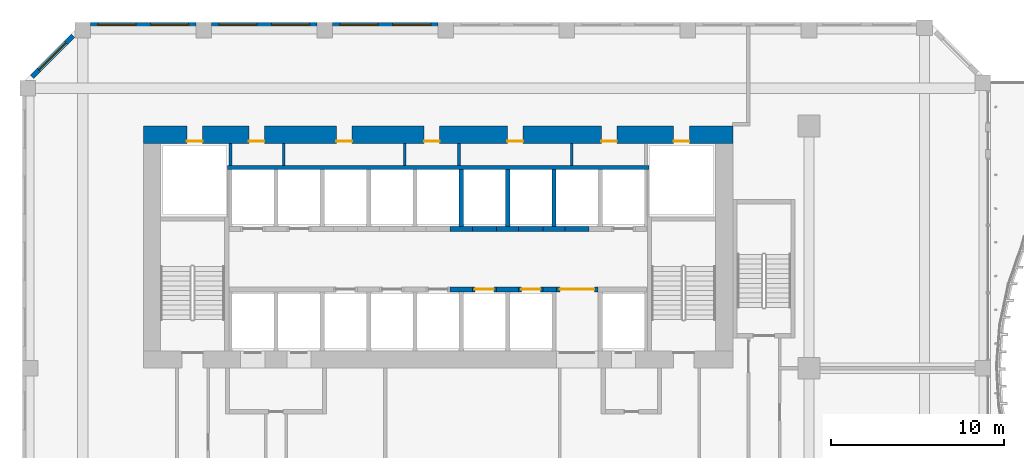
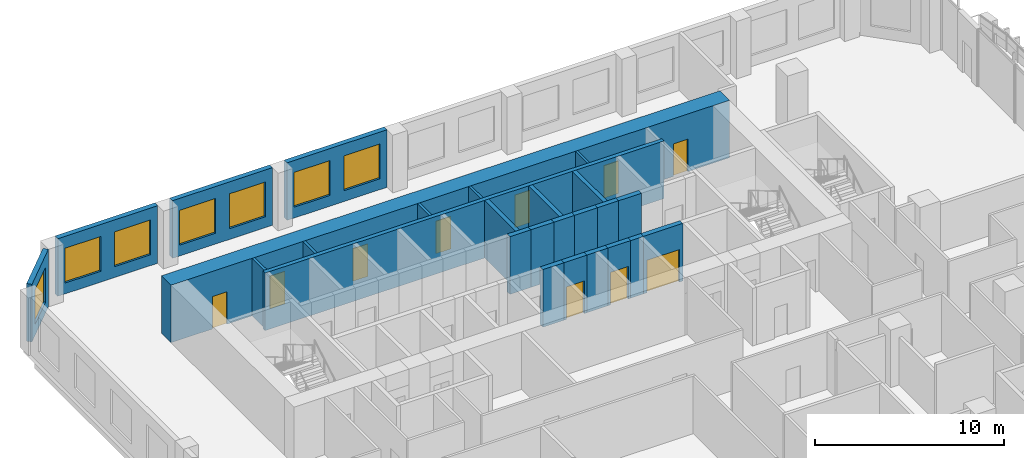
# One storey, part 16 of 28: 26 walls, 10 doors, 7 windows, 17 openings.
"""IFC4 building model written with IfcOpenShell, lengths in metres."""

from ifc_helpers import new_model, si_unit, direction, frame, frame_2d, origin, place, context, subcontext, project, spatial, rectangle, extrude, source, transform, mapped, material, layer, layer_set, type_object, element, fill, save


model = new_model("IFC4")

# Units and contexts
model_context = context("Model", 3, precision=1e-05, world=origin(), true_north=direction((0.0, 1.0)))
body_context = subcontext(model_context, "Body", "Model", "MODEL_VIEW")
ifc_project = project(units=[si_unit("LENGTHUNIT", "METRE"), si_unit("AREAUNIT", "SQUARE_METRE"), si_unit("VOLUMEUNIT", "CUBIC_METRE"), si_unit("PLANEANGLEUNIT", "RADIAN"), si_unit("MASSUNIT", "GRAM", prefix="KILO")], contexts=[model_context])

# Site, building, storey
site_placement = place(None, origin())
site = spatial("IfcSite", under=ifc_project, at=site_placement, CompositionType="ELEMENT")
building_placement = place(site_placement, origin())
building = spatial("IfcBuilding", under=site, at=building_placement, Name="Kilnfold Tower and Market Hall", CompositionType="ELEMENT")
storey_placement = place(building_placement, frame((0.0, 0.0, 87.199951171875)))
storey = spatial("IfcBuildingStorey", under=building, at=storey_placement, Name="L20", CompositionType="ELEMENT", Elevation=87.199951171875)

# Wall, openings, doors
ifc_material_1 = material(Name="Concrete C80", Category="concrete")
ifc_layer_1 = layer(ifc_material_1, 1.0)
ifc_layer_set_1 = layer_set([ifc_layer_1], Name="Concrete C80")
wall_type_1 = type_object("IfcWallType", Name="CORE WALL 1000 C80", PredefinedType="SHEAR", material=ifc_layer_set_1)
shared_shape_1 = source(origin(), body_context, "Body", "SweptSolid", [
    extrude(rectangle(XDim=34.10009765625, YDim=1.0, at=frame_2d((17.050048828125, 0.0))), origin(), (0.0, 0.0, 1.0), 3.719970703125),
])
wall_1_placement = place(storey_placement, frame((-16.0, 21.5, 0.0), z_axis=(0.0, 0.0, 1.0), x_axis=(1.0, 0.0, 0.0)))
wall_1 = element("IfcWall", 1, at=wall_1_placement, inside=storey, type_object=wall_type_1, Name="Core outer wall north", PredefinedType="SHEAR", context=body_context, shape_type="MappedRepresentation", body=[
    mapped(shared_shape_1, transform((0.0, 0.0, 0.0))),
])
opening_1_placement = place(wall_1_placement, frame((6.10791015625, 0.0, 0.0)))
opening_1 = element("IfcOpeningElement", 2, at=opening_1_placement, cuts=wall_1, Name="Opening KD1", PredefinedType="OPENING", context=body_context, shape_type="SweptSolid", body=[
    extrude(rectangle(XDim=0.89990234375, YDim=2.10009765625, at=frame_2d((0.449951171875, 1.050048828125))), frame((0.0, 0.510009765625, 0.0), z_axis=(0.0, -1.0, 0.0), x_axis=(1.0, 0.0, 0.0)), (0.0, 0.0, 1.0), 1.02001953125),
])
opening_2_placement = place(wall_1_placement, frame((11.173095703125, 0.0, 0.0)))
opening_2 = element("IfcOpeningElement", 3, at=opening_2_placement, cuts=wall_1, Name="Opening KD1", PredefinedType="OPENING", context=body_context, shape_type="SweptSolid", body=[
    extrude(rectangle(XDim=0.89990234375, YDim=2.10009765625, at=frame_2d((0.449951171875, 1.050048828125))), frame((0.0, 0.510009765625, 0.0), z_axis=(0.0, -1.0, 0.0), x_axis=(1.0, 0.0, 0.0)), (0.0, 0.0, 1.0), 1.02001953125),
])
opening_3_placement = place(wall_1_placement, frame((16.23828125, 0.0, 0.0)))
opening_3 = element("IfcOpeningElement", 4, at=opening_3_placement, cuts=wall_1, Name="Opening KD1", PredefinedType="OPENING", context=body_context, shape_type="SweptSolid", body=[
    extrude(rectangle(XDim=0.89990234375, YDim=2.10009765625, at=frame_2d((0.449951171875, 1.050048828125))), frame((0.0, 0.510009765625, 0.0), z_axis=(0.0, -1.0, 0.0), x_axis=(1.0, 0.0, 0.0)), (0.0, 0.0, 1.0), 1.02001953125),
])
opening_4_placement = place(wall_1_placement, frame((21.062255859375, 0.0, 0.0)))
opening_4 = element("IfcOpeningElement", 5, at=opening_4_placement, cuts=wall_1, Name="Opening KD1", PredefinedType="OPENING", context=body_context, shape_type="SweptSolid", body=[
    extrude(rectangle(XDim=0.89990234375, YDim=2.10009765625, at=frame_2d((0.449951171875, 1.050048828125))), frame((0.0, 0.510009765625, 0.0), z_axis=(0.0, -1.0, 0.0), x_axis=(1.0, 0.0, 0.0)), (0.0, 0.0, 1.0), 1.02001953125),
])
opening_5_placement = place(wall_1_placement, frame((26.4892578125, 0.0, 0.0)))
opening_5 = element("IfcOpeningElement", 6, at=opening_5_placement, cuts=wall_1, Name="Opening KD1", PredefinedType="OPENING", context=body_context, shape_type="SweptSolid", body=[
    extrude(rectangle(XDim=0.89990234375, YDim=2.10009765625, at=frame_2d((0.449951171875, 1.050048828125))), frame((0.0, 0.510009765625, 0.0), z_axis=(0.0, -1.0, 0.0), x_axis=(1.0, 0.0, 0.0)), (0.0, 0.0, 1.0), 1.02001953125),
])
opening_6_placement = place(wall_1_placement, frame((2.52490234375, 0.0, 0.0)))
opening_6 = element("IfcOpeningElement", 7, at=opening_6_placement, cuts=wall_1, Name="Opening KD1", PredefinedType="OPENING", context=body_context, shape_type="SweptSolid", body=[
    extrude(rectangle(XDim=0.89990234375, YDim=2.10009765625, at=frame_2d((0.449951171875, 1.050048828125))), frame((0.0, 0.510009765625, 0.0), z_axis=(0.0, -1.0, 0.0), x_axis=(1.0, 0.0, 0.0)), (0.0, 0.0, 1.0), 1.02001953125),
])
opening_7_placement = place(wall_1_placement, frame((30.675048828125, 0.0, 0.0)))
opening_7 = element("IfcOpeningElement", 8, at=opening_7_placement, cuts=wall_1, Name="Opening KD1", PredefinedType="OPENING", context=body_context, shape_type="SweptSolid", body=[
    extrude(rectangle(XDim=0.89990234375, YDim=2.10009765625, at=frame_2d((0.449951171875, 1.050048828125))), frame((0.0, 0.510009765625, 0.0), z_axis=(0.0, -1.0, 0.0), x_axis=(1.0, 0.0, 0.0)), (0.0, 0.0, 1.0), 1.02001953125),
])
ifc_material_2 = material(Name="Steel door set with fire-resisting leaf", Category="steel")
door_type_1 = type_object("IfcDoorType", Name="SERVICE DOOR 900X2100", OperationType="NOTDEFINED", PredefinedType="DOOR", material=ifc_material_2)
door_1_placement = place(opening_1_placement, origin())
door_1 = element("IfcDoor", 9, at=door_1_placement, inside=storey, type_object=door_type_1, Name="Core service door", OperationType="SINGLE_SWING_RIGHT", OverallHeight=2.10009765625, OverallWidth=0.89990234375, PredefinedType="DOOR", context=body_context, shape_type="SweptSolid", body=[
    extrude(rectangle(XDim=0.89990234375, YDim=2.10009765625, at=frame_2d((0.449951171875, 1.050048828125))), frame((0.0, -0.35498046875, 0.0), z_axis=(0.0, -1.0, 0.0), x_axis=(1.0, 0.0, 0.0)), (0.0, 0.0, 1.0), 0.050048828125),
])
fill(opening_1, door_1)
door_2_placement = place(opening_2_placement, origin())
door_2 = element("IfcDoor", 10, at=door_2_placement, inside=storey, type_object=door_type_1, Name="Core service door", OperationType="SINGLE_SWING_LEFT", OverallHeight=2.10009765625, OverallWidth=0.89990234375, PredefinedType="DOOR", context=body_context, shape_type="SweptSolid", body=[
    extrude(rectangle(XDim=0.89990234375, YDim=2.10009765625, at=frame_2d((0.449951171875, 1.050048828125))), frame((0.0, -0.35498046875, 0.0), z_axis=(0.0, -1.0, 0.0), x_axis=(1.0, 0.0, 0.0)), (0.0, 0.0, 1.0), 0.050048828125),
])
fill(opening_2, door_2)
door_3_placement = place(opening_3_placement, origin())
door_3 = element("IfcDoor", 11, at=door_3_placement, inside=storey, type_object=door_type_1, Name="Core service door", OperationType="SINGLE_SWING_RIGHT", OverallHeight=2.10009765625, OverallWidth=0.89990234375, PredefinedType="DOOR", context=body_context, shape_type="SweptSolid", body=[
    extrude(rectangle(XDim=0.89990234375, YDim=2.10009765625, at=frame_2d((0.449951171875, 1.050048828125))), frame((0.0, -0.35498046875, 0.0), z_axis=(0.0, -1.0, 0.0), x_axis=(1.0, 0.0, 0.0)), (0.0, 0.0, 1.0), 0.050048828125),
])
fill(opening_3, door_3)
door_4_placement = place(opening_4_placement, origin())
door_4 = element("IfcDoor", 12, at=door_4_placement, inside=storey, type_object=door_type_1, Name="Core service door", OperationType="SINGLE_SWING_LEFT", OverallHeight=2.10009765625, OverallWidth=0.89990234375, PredefinedType="DOOR", context=body_context, shape_type="SweptSolid", body=[
    extrude(rectangle(XDim=0.89990234375, YDim=2.10009765625, at=frame_2d((0.449951171875, 1.050048828125))), frame((0.0, -0.35498046875, 0.0), z_axis=(0.0, -1.0, 0.0), x_axis=(1.0, 0.0, 0.0)), (0.0, 0.0, 1.0), 0.050048828125),
])
fill(opening_4, door_4)
door_5_placement = place(opening_5_placement, origin())
door_5 = element("IfcDoor", 13, at=door_5_placement, inside=storey, type_object=door_type_1, Name="Core service door", OperationType="SINGLE_SWING_RIGHT", OverallHeight=2.10009765625, OverallWidth=0.89990234375, PredefinedType="DOOR", context=body_context, shape_type="SweptSolid", body=[
    extrude(rectangle(XDim=0.89990234375, YDim=2.10009765625, at=frame_2d((0.449951171875, 1.050048828125))), frame((0.0, -0.35498046875, 0.0), z_axis=(0.0, -1.0, 0.0), x_axis=(1.0, 0.0, 0.0)), (0.0, 0.0, 1.0), 0.050048828125),
])
fill(opening_5, door_5)
door_6_placement = place(opening_6_placement, origin())
door_6 = element("IfcDoor", 14, at=door_6_placement, inside=storey, type_object=door_type_1, Name="Electrical riser access door", OperationType="SINGLE_SWING_LEFT", OverallHeight=2.10009765625, OverallWidth=0.89990234375, PredefinedType="DOOR", context=body_context, shape_type="SweptSolid", body=[
    extrude(rectangle(XDim=0.89990234375, YDim=2.10009765625, at=frame_2d((0.449951171875, 1.050048828125))), frame((0.0, -0.35498046875, 0.0), z_axis=(0.0, -1.0, 0.0), x_axis=(1.0, 0.0, 0.0)), (0.0, 0.0, 1.0), 0.050048828125),
])
fill(opening_6, door_6)
door_7_placement = place(opening_7_placement, origin())
door_7 = element("IfcDoor", 15, at=door_7_placement, inside=storey, type_object=door_type_1, Name="Mechanical riser access door", OperationType="SINGLE_SWING_RIGHT", OverallHeight=2.10009765625, OverallWidth=0.89990234375, PredefinedType="DOOR", context=body_context, shape_type="SweptSolid", body=[
    extrude(rectangle(XDim=0.89990234375, YDim=2.10009765625, at=frame_2d((0.449951171875, 1.050048828125))), frame((0.0, -0.35498046875, 0.0), z_axis=(0.0, -1.0, 0.0), x_axis=(1.0, 0.0, 0.0)), (0.0, 0.0, 1.0), 0.050048828125),
])
fill(opening_7, door_7)

# Walls
ifc_material_3 = material(Name="Concrete C80", Category="concrete")
ifc_layer_2 = layer(ifc_material_3, 0.300048828125)
ifc_layer_set_2 = layer_set([ifc_layer_2], Name="Concrete C80")
wall_type_2 = type_object("IfcWallType", Name="CORE WALL 300 C80", PredefinedType="SHEAR", material=ifc_layer_set_2)
shared_shape_2 = source(origin(), body_context, "Body", "SweptSolid", [
    extrude(rectangle(XDim=1.280029296875, YDim=0.300048828125, at=frame_2d((0.64013671875, 0.0))), origin(), (0.0, 0.0, 1.0), 3.719970703125),
])
for number, where, z_axis, x_axis, name in (
    (16, (1.75, 12.550048828125, 0.0), (0.0, 0.0, 1.0), (1.0, 0.0, 0.0), "Core spine wall"),
    (17, (4.429931640625, 12.550048828125, 0.0), (0.0, 0.0, 1.0), (1.0, 0.0, 0.0), "Core spine wall"),
    (18, (1.75, 16.050048828125, 0.0), (0.0, 0.0, 1.0), (1.0, 0.0, 0.0), "Core spine wall"),
    (19, (4.429931640625, 16.050048828125, 0.0), (0.0, 0.0, 1.0), (1.0, 0.0, 0.0), "Core spine wall"),
):
    element("IfcWall", number, at=place(storey_placement, frame(where, z_axis=z_axis, x_axis=x_axis)), inside=storey, type_object=wall_type_2, Name=name, PredefinedType="SHEAR", context=body_context, shape_type="MappedRepresentation", body=[
        mapped(shared_shape_2, transform((0.0, 0.0, 0.0))),
    ])
shared_shape_3 = source(origin(), body_context, "Body", "SweptSolid", [
    extrude(rectangle(XDim=0.77978515625, YDim=0.300048828125, at=frame_2d((0.389892578125, 0.0))), origin(), (0.0, 0.0, 1.0), 3.719970703125),
])
wall_2_placement = place(storey_placement, frame((7.110107421875, 12.550048828125, 0.0), z_axis=(0.0, 0.0, 1.0), x_axis=(1.0, 0.0, 0.0)))
element("IfcWall", 20, at=wall_2_placement, inside=storey, type_object=wall_type_2, Name="Core spine wall", PredefinedType="SHEAR", context=body_context, shape_type="MappedRepresentation", body=[
    mapped(shared_shape_3, transform((0.0, 0.0, 0.0))),
])
shared_shape_4 = source(origin(), body_context, "Body", "SweptSolid", [
    extrude(rectangle(XDim=1.27978515625, YDim=0.300048828125, at=frame_2d((0.639892578125, 0.0))), origin(), (0.0, 0.0, 1.0), 3.719970703125),
])
wall_3_placement = place(storey_placement, frame((7.110107421875, 16.050048828125, 0.0), z_axis=(0.0, 0.0, 1.0), x_axis=(1.0, 0.0, 0.0)))
element("IfcWall", 21, at=wall_3_placement, inside=storey, type_object=wall_type_2, Name="Core spine wall", PredefinedType="SHEAR", context=body_context, shape_type="MappedRepresentation", body=[
    mapped(shared_shape_4, transform((0.0, 0.0, 0.0))),
])

# Wall, opening, window
ifc_material_4 = material(Name="Precast concrete C50/60", Category="concrete")
ifc_layer_3 = layer(ifc_material_4, 0.300048828125)
ifc_layer_set_3 = layer_set([ifc_layer_3], Name="Precast concrete C50/60")
wall_type_3 = type_object("IfcWallType", Name="PRECAST WALL 300", PredefinedType="SOLIDWALL", material=ifc_layer_set_3)
shared_shape_5 = source(origin(), body_context, "Body", "SweptSolid", [
    extrude(rectangle(XDim=3.35888671875, YDim=0.300048828125, at=frame_2d((1.679443359375, 0.0))), origin(), (0.0, 0.0, 1.0), 3.719970703125),
])
wall_4_placement = place(storey_placement, frame((-20.06884765625, 27.218994140625, 0.0), z_axis=(0.0, 0.0, 1.0), x_axis=(-0.707143122278, -0.707070438228, 0.0)))
wall_4 = element("IfcWall", 22, at=wall_4_placement, inside=storey, type_object=wall_type_3, Name="External wall L20 NW", PredefinedType="SOLIDWALL", context=body_context, shape_type="MappedRepresentation", body=[
    mapped(shared_shape_5, transform((0.0, 0.0, 0.0))),
])
opening_8_placement = place(wall_4_placement, frame((0.579345703125, 0.0, 0.699951171875)))
opening_8 = element("IfcOpeningElement", 23, at=opening_8_placement, cuts=wall_4, Name="Opening W1", PredefinedType="OPENING", context=body_context, shape_type="SweptSolid", body=[
    extrude(rectangle(XDim=2.199951171875, YDim=2.25, at=frame_2d((1.10009765625, 1.125))), frame((0.0, 0.16015625, 0.0), z_axis=(0.0, -1.0, 0.0), x_axis=(1.0, 0.0, 0.0)), (0.0, 0.0, 1.0), 0.320068359375),
])
ifc_material_5 = material(Name="Aluminium frame and double glazing", Category="aluminium")
window_type = type_object("IfcWindowType", Name="WINDOW W1 2200X2250", PartitioningType="SINGLE_PANEL", PredefinedType="WINDOW", material=ifc_material_5)
window_1_placement = place(opening_8_placement, origin())
window_1 = element("IfcWindow", 24, at=window_1_placement, inside=storey, type_object=window_type, Name="Window W1 L20 NW-1", OverallHeight=2.25, OverallWidth=2.199951171875, PartitioningType="SINGLE_PANEL", PredefinedType="WINDOW", context=body_context, shape_type="SweptSolid", body=[
    extrude(rectangle(XDim=2.199951171875, YDim=2.25, at=frame_2d((1.10009765625, 1.125))), frame((0.0, 0.030029296875, 0.0), z_axis=(0.0, -1.0, 0.0), x_axis=(1.0, 0.0, 0.0)), (0.0, 0.0, 1.0), 0.06005859375),
])
fill(opening_8, window_1)

# Wall, openings, windows
shared_shape_6 = source(origin(), body_context, "Body", "SweptSolid", [
    extrude(rectangle(XDim=6.10009765625, YDim=0.300048828125, at=frame_2d((3.050048828125, 0.0))), origin(), (0.0, 0.0, 1.0), 3.719970703125),
])
wall_5_placement = place(storey_placement, frame((1.050048828125, 27.85009765625, 0.0), z_axis=(0.0, 0.0, 1.0), x_axis=(-1.0, 0.0, 0.0)))
wall_5 = element("IfcWall", 25, at=wall_5_placement, inside=storey, type_object=wall_type_3, Name="External wall L20 N", PredefinedType="SOLIDWALL", context=body_context, shape_type="MappedRepresentation", body=[
    mapped(shared_shape_6, transform((0.0, 0.0, 0.0))),
])
opening_9_placement = place(wall_5_placement, frame((0.425048828125, 0.0, 0.699951171875)))
opening_9 = element("IfcOpeningElement", 26, at=opening_9_placement, cuts=wall_5, Name="Opening W1", PredefinedType="OPENING", context=body_context, shape_type="SweptSolid", body=[
    extrude(rectangle(XDim=2.199951171875, YDim=2.25, at=frame_2d((1.10009765625, 1.125))), frame((0.0, 0.16015625, 0.0), z_axis=(0.0, -1.0, 0.0), x_axis=(1.0, 0.0, 0.0)), (0.0, 0.0, 1.0), 0.320068359375),
])
opening_10_placement = place(wall_5_placement, frame((3.47509765625, 0.0, 0.699951171875)))
opening_10 = element("IfcOpeningElement", 27, at=opening_10_placement, cuts=wall_5, Name="Opening W1", PredefinedType="OPENING", context=body_context, shape_type="SweptSolid", body=[
    extrude(rectangle(XDim=2.199951171875, YDim=2.25, at=frame_2d((1.10009765625, 1.125))), frame((0.0, 0.16015625, 0.0), z_axis=(0.0, -1.0, 0.0), x_axis=(1.0, 0.0, 0.0)), (0.0, 0.0, 1.0), 0.320068359375),
])
window_2_placement = place(opening_9_placement, origin())
window_2 = element("IfcWindow", 28, at=window_2_placement, inside=storey, type_object=window_type, Name="Window W1 L20 N-1", OverallHeight=2.25, OverallWidth=2.199951171875, PartitioningType="SINGLE_PANEL", PredefinedType="WINDOW", context=body_context, shape_type="SweptSolid", body=[
    extrude(rectangle(XDim=2.199951171875, YDim=2.25, at=frame_2d((1.10009765625, 1.125))), frame((0.0, 0.030029296875, 0.0), z_axis=(0.0, -1.0, 0.0), x_axis=(1.0, 0.0, 0.0)), (0.0, 0.0, 1.0), 0.06005859375),
])
fill(opening_9, window_2)
window_3_placement = place(opening_10_placement, origin())
window_3 = element("IfcWindow", 29, at=window_3_placement, inside=storey, type_object=window_type, Name="Window W1 L20 N-2", OverallHeight=2.25, OverallWidth=2.199951171875, PartitioningType="SINGLE_PANEL", PredefinedType="WINDOW", context=body_context, shape_type="SweptSolid", body=[
    extrude(rectangle(XDim=2.199951171875, YDim=2.25, at=frame_2d((1.10009765625, 1.125))), frame((0.0, 0.030029296875, 0.0), z_axis=(0.0, -1.0, 0.0), x_axis=(1.0, 0.0, 0.0)), (0.0, 0.0, 1.0), 0.06005859375),
])
fill(opening_10, window_3)

wall_6_placement = place(storey_placement, frame((-5.949951171875, 27.85009765625, 0.0), z_axis=(0.0, 0.0, 1.0), x_axis=(-1.0, 0.0, 0.0)))
wall_6 = element("IfcWall", 30, at=wall_6_placement, inside=storey, type_object=wall_type_3, Name="External wall L20 N", PredefinedType="SOLIDWALL", context=body_context, shape_type="MappedRepresentation", body=[
    mapped(shared_shape_6, transform((0.0, 0.0, 0.0))),
])
opening_11_placement = place(wall_6_placement, frame((0.425048828125, 0.0, 0.699951171875)))
opening_11 = element("IfcOpeningElement", 31, at=opening_11_placement, cuts=wall_6, Name="Opening W1", PredefinedType="OPENING", context=body_context, shape_type="SweptSolid", body=[
    extrude(rectangle(XDim=2.199951171875, YDim=2.25, at=frame_2d((1.10009765625, 1.125))), frame((0.0, 0.16015625, 0.0), z_axis=(0.0, -1.0, 0.0), x_axis=(1.0, 0.0, 0.0)), (0.0, 0.0, 1.0), 0.320068359375),
])
opening_12_placement = place(wall_6_placement, frame((3.47509765625, 0.0, 0.699951171875)))
opening_12 = element("IfcOpeningElement", 32, at=opening_12_placement, cuts=wall_6, Name="Opening W1", PredefinedType="OPENING", context=body_context, shape_type="SweptSolid", body=[
    extrude(rectangle(XDim=2.199951171875, YDim=2.25, at=frame_2d((1.10009765625, 1.125))), frame((0.0, 0.16015625, 0.0), z_axis=(0.0, -1.0, 0.0), x_axis=(1.0, 0.0, 0.0)), (0.0, 0.0, 1.0), 0.320068359375),
])
window_4_placement = place(opening_11_placement, origin())
window_4 = element("IfcWindow", 33, at=window_4_placement, inside=storey, type_object=window_type, Name="Window W1 L20 N-1", OverallHeight=2.25, OverallWidth=2.199951171875, PartitioningType="SINGLE_PANEL", PredefinedType="WINDOW", context=body_context, shape_type="SweptSolid", body=[
    extrude(rectangle(XDim=2.199951171875, YDim=2.25, at=frame_2d((1.10009765625, 1.125))), frame((0.0, 0.030029296875, 0.0), z_axis=(0.0, -1.0, 0.0), x_axis=(1.0, 0.0, 0.0)), (0.0, 0.0, 1.0), 0.06005859375),
])
fill(opening_11, window_4)
window_5_placement = place(opening_12_placement, origin())
window_5 = element("IfcWindow", 34, at=window_5_placement, inside=storey, type_object=window_type, Name="Window W1 L20 N-2", OverallHeight=2.25, OverallWidth=2.199951171875, PartitioningType="SINGLE_PANEL", PredefinedType="WINDOW", context=body_context, shape_type="SweptSolid", body=[
    extrude(rectangle(XDim=2.199951171875, YDim=2.25, at=frame_2d((1.10009765625, 1.125))), frame((0.0, 0.030029296875, 0.0), z_axis=(0.0, -1.0, 0.0), x_axis=(1.0, 0.0, 0.0)), (0.0, 0.0, 1.0), 0.06005859375),
])
fill(opening_12, window_5)

wall_7_placement = place(storey_placement, frame((-12.949951171875, 27.85009765625, 0.0), z_axis=(0.0, 0.0, 1.0), x_axis=(-1.0, 0.0, 0.0)))
wall_7 = element("IfcWall", 35, at=wall_7_placement, inside=storey, type_object=wall_type_3, Name="External wall L20 N", PredefinedType="SOLIDWALL", context=body_context, shape_type="MappedRepresentation", body=[
    mapped(shared_shape_6, transform((0.0, 0.0, 0.0))),
])
opening_13_placement = place(wall_7_placement, frame((0.425048828125, 0.0, 0.699951171875)))
opening_13 = element("IfcOpeningElement", 36, at=opening_13_placement, cuts=wall_7, Name="Opening W1", PredefinedType="OPENING", context=body_context, shape_type="SweptSolid", body=[
    extrude(rectangle(XDim=2.199951171875, YDim=2.25, at=frame_2d((1.10009765625, 1.125))), frame((0.0, 0.16015625, 0.0), z_axis=(0.0, -1.0, 0.0), x_axis=(1.0, 0.0, 0.0)), (0.0, 0.0, 1.0), 0.320068359375),
])
opening_14_placement = place(wall_7_placement, frame((3.47509765625, 0.0, 0.699951171875)))
opening_14 = element("IfcOpeningElement", 37, at=opening_14_placement, cuts=wall_7, Name="Opening W1", PredefinedType="OPENING", context=body_context, shape_type="SweptSolid", body=[
    extrude(rectangle(XDim=2.199951171875, YDim=2.25, at=frame_2d((1.10009765625, 1.125))), frame((0.0, 0.16015625, 0.0), z_axis=(0.0, -1.0, 0.0), x_axis=(1.0, 0.0, 0.0)), (0.0, 0.0, 1.0), 0.320068359375),
])
window_6_placement = place(opening_13_placement, origin())
window_6 = element("IfcWindow", 38, at=window_6_placement, inside=storey, type_object=window_type, Name="Window W1 L20 N-1", OverallHeight=2.25, OverallWidth=2.199951171875, PartitioningType="SINGLE_PANEL", PredefinedType="WINDOW", context=body_context, shape_type="SweptSolid", body=[
    extrude(rectangle(XDim=2.199951171875, YDim=2.25, at=frame_2d((1.10009765625, 1.125))), frame((0.0, 0.030029296875, 0.0), z_axis=(0.0, -1.0, 0.0), x_axis=(1.0, 0.0, 0.0)), (0.0, 0.0, 1.0), 0.06005859375),
])
fill(opening_13, window_6)
window_7_placement = place(opening_14_placement, origin())
window_7 = element("IfcWindow", 39, at=window_7_placement, inside=storey, type_object=window_type, Name="Window W1 L20 N-2", OverallHeight=2.25, OverallWidth=2.199951171875, PartitioningType="SINGLE_PANEL", PredefinedType="WINDOW", context=body_context, shape_type="SweptSolid", body=[
    extrude(rectangle(XDim=2.199951171875, YDim=2.25, at=frame_2d((1.10009765625, 1.125))), frame((0.0, 0.030029296875, 0.0), z_axis=(0.0, -1.0, 0.0), x_axis=(1.0, 0.0, 0.0)), (0.0, 0.0, 1.0), 0.06005859375),
])
fill(opening_14, window_7)

# Wall, opening, door
ifc_material_6 = material(Name="Gypsum shaft wall system")
ifc_layer_4 = layer(ifc_material_6, 0.300048828125)
ifc_layer_set_4 = layer_set([ifc_layer_4], Name="Gypsum shaft wall system")
wall_type_4 = type_object("IfcWallType", Name="SHAFT WALL 300", PredefinedType="PARTITIONING", material=ifc_layer_set_4)
shared_shape_7 = source(origin(), body_context, "Body", "SweptSolid", [
    extrude(rectangle(XDim=1.39990234375, YDim=0.300048828125, at=frame_2d((0.699951171875, 0.0))), origin(), (0.0, 0.0, 1.0), 3.719970703125),
])
wall_8_placement = place(storey_placement, frame((3.030029296875, 12.550048828125, 0.0), z_axis=(0.0, 0.0, 1.0), x_axis=(1.0, 0.0, 0.0)))
wall_8 = element("IfcWall", 40, at=wall_8_placement, inside=storey, type_object=wall_type_4, Name="Lift shaft front wall", PredefinedType="PARTITIONING", context=body_context, shape_type="MappedRepresentation", body=[
    mapped(shared_shape_7, transform((0.0, 0.0, 0.0))),
])
opening_15_placement = place(wall_8_placement, frame((0.14990234375, 0.0, 0.0)))
opening_15 = element("IfcOpeningElement", 41, at=opening_15_placement, cuts=wall_8, Name="Opening LD2", PredefinedType="OPENING", context=body_context, shape_type="SweptSolid", body=[
    extrude(rectangle(XDim=1.10009765625, YDim=2.10009765625, at=frame_2d((0.550048828125, 1.050048828125))), frame((0.0, 0.16015625, 0.0), z_axis=(0.0, -1.0, 0.0), x_axis=(1.0, 0.0, 0.0)), (0.0, 0.0, 1.0), 0.320068359375),
])
ifc_material_7 = material(Name="Steel door set with fire-resisting leaf", Category="steel")
door_type_2 = type_object("IfcDoorType", Name="LANDING DOOR 1100X2100", OperationType="NOTDEFINED", PredefinedType="DOOR", material=ifc_material_7)
door_8_placement = place(opening_15_placement, origin())
door_8 = element("IfcDoor", 42, at=door_8_placement, inside=storey, type_object=door_type_2, Name="Landing door LR4", OperationType="DOUBLE_DOOR_SLIDING", OverallHeight=2.10009765625, OverallWidth=1.10009765625, PredefinedType="DOOR", context=body_context, shape_type="SweptSolid", body=[
    extrude(rectangle(XDim=1.10009765625, YDim=2.10009765625, at=frame_2d((0.550048828125, 1.050048828125))), frame((0.0, 0.02490234375, 0.0), z_axis=(0.0, -1.0, 0.0), x_axis=(1.0, 0.0, 0.0)), (0.0, 0.0, 1.0), 0.050048828125),
])
fill(opening_15, door_8)

# Wall
wall_9_placement = place(storey_placement, frame((3.030029296875, 16.050048828125, 0.0), z_axis=(0.0, 0.0, 1.0), x_axis=(1.0, 0.0, 0.0)))
element("IfcWall", 43, at=wall_9_placement, inside=storey, type_object=wall_type_4, Name="Lift shaft front wall", PredefinedType="PARTITIONING", context=body_context, shape_type="MappedRepresentation", body=[
    mapped(shared_shape_7, transform((0.0, 0.0, 0.0))),
])

# Wall, opening, door
shared_shape_8 = source(origin(), body_context, "Body", "SweptSolid", [
    extrude(rectangle(XDim=1.400146484375, YDim=0.300048828125, at=frame_2d((0.7001953125, 0.0))), origin(), (0.0, 0.0, 1.0), 3.719970703125),
])
wall_10_placement = place(storey_placement, frame((5.7099609375, 12.550048828125, 0.0), z_axis=(0.0, 0.0, 1.0), x_axis=(1.0, 0.0, 0.0)))
wall_10 = element("IfcWall", 44, at=wall_10_placement, inside=storey, type_object=wall_type_4, Name="Lift shaft front wall", PredefinedType="PARTITIONING", context=body_context, shape_type="MappedRepresentation", body=[
    mapped(shared_shape_8, transform((0.0, 0.0, 0.0))),
])
opening_16_placement = place(wall_10_placement, frame((0.14990234375, 0.0, 0.0)))
opening_16 = element("IfcOpeningElement", 45, at=opening_16_placement, cuts=wall_10, Name="Opening LD2", PredefinedType="OPENING", context=body_context, shape_type="SweptSolid", body=[
    extrude(rectangle(XDim=1.10009765625, YDim=2.10009765625, at=frame_2d((0.550048828125, 1.050048828125))), frame((0.0, 0.16015625, 0.0), z_axis=(0.0, -1.0, 0.0), x_axis=(1.0, 0.0, 0.0)), (0.0, 0.0, 1.0), 0.320068359375),
])
door_9_placement = place(opening_16_placement, origin())
door_9 = element("IfcDoor", 46, at=door_9_placement, inside=storey, type_object=door_type_2, Name="Landing door LR5", OperationType="DOUBLE_DOOR_SLIDING", OverallHeight=2.10009765625, OverallWidth=1.10009765625, PredefinedType="DOOR", context=body_context, shape_type="SweptSolid", body=[
    extrude(rectangle(XDim=1.10009765625, YDim=2.10009765625, at=frame_2d((0.550048828125, 1.050048828125))), frame((0.0, 0.02490234375, 0.0), z_axis=(0.0, -1.0, 0.0), x_axis=(1.0, 0.0, 0.0)), (0.0, 0.0, 1.0), 0.050048828125),
])
fill(opening_16, door_9)

# Walls
for number, where, z_axis, x_axis, name in (
    (47, (5.7099609375, 16.050048828125, 0.0), (0.0, 0.0, 1.0), (1.0, 0.0, 0.0), "Lift shaft front wall"),
    (48, (8.389892578125, 16.050048828125, 0.0), (0.0, 0.0, 1.0), (1.0, 0.0, 0.0), "Lift shaft front wall"),
):
    element("IfcWall", number, at=place(storey_placement, frame(where, z_axis=z_axis, x_axis=x_axis)), inside=storey, type_object=wall_type_4, Name=name, PredefinedType="PARTITIONING", context=body_context, shape_type="MappedRepresentation", body=[
        mapped(shared_shape_8, transform((0.0, 0.0, 0.0))),
    ])

# Wall, opening, door
shared_shape_9 = source(origin(), body_context, "Body", "SweptSolid", [
    extrude(rectangle(XDim=2.400146484375, YDim=0.300048828125, at=frame_2d((1.2001953125, 0.0))), origin(), (0.0, 0.0, 1.0), 3.719970703125),
])
wall_11_placement = place(storey_placement, frame((7.889892578125, 12.550048828125, 0.0), z_axis=(0.0, 0.0, 1.0), x_axis=(1.0, 0.0, 0.0)))
wall_11 = element("IfcWall", 49, at=wall_11_placement, inside=storey, type_object=wall_type_4, Name="Lift shaft front wall", PredefinedType="PARTITIONING", context=body_context, shape_type="MappedRepresentation", body=[
    mapped(shared_shape_9, transform((0.0, 0.0, 0.0))),
])
opening_17_placement = place(wall_11_placement, frame((0.199951171875, 0.0, 0.0)))
opening_17 = element("IfcOpeningElement", 50, at=opening_17_placement, cuts=wall_11, Name="Opening VD2", PredefinedType="OPENING", context=body_context, shape_type="SweptSolid", body=[
    extrude(rectangle(XDim=2.0, YDim=2.10009765625, at=frame_2d((1.0, 1.050048828125))), frame((0.0, 0.16015625, 0.0), z_axis=(0.0, -1.0, 0.0), x_axis=(1.0, 0.0, 0.0)), (0.0, 0.0, 1.0), 0.320068359375),
])
ifc_material_8 = material(Name="Steel door set with fire-resisting leaf", Category="steel")
door_type_3 = type_object("IfcDoorType", Name="LIFT LOBBY ENTRANCE DOOR 2000X2100", OperationType="NOTDEFINED", PredefinedType="DOOR", material=ifc_material_8)
door_10_placement = place(opening_17_placement, origin())
door_10 = element("IfcDoor", 51, at=door_10_placement, inside=storey, type_object=door_type_3, Name="Lift lobby entrance door", OperationType="DOUBLE_DOOR_SINGLE_SWING", OverallHeight=2.10009765625, OverallWidth=2.0, PredefinedType="DOOR", context=body_context, shape_type="SweptSolid", body=[
    extrude(rectangle(XDim=2.0, YDim=2.10009765625, at=frame_2d((1.0, 1.050048828125))), frame((0.0, 0.02490234375, 0.0), z_axis=(0.0, -1.0, 0.0), x_axis=(1.0, 0.0, 0.0)), (0.0, 0.0, 1.0), 0.050048828125),
])
fill(opening_17, door_10)

# Walls
ifc_material_9 = material(Name="Gypsum shaft wall system")
ifc_layer_5 = layer(ifc_material_9, 0.25)
ifc_layer_set_5 = layer_set([ifc_layer_5], Name="Gypsum shaft wall system")
wall_type_5 = type_object("IfcWallType", Name="SHAFT WALL 250", PredefinedType="PARTITIONING", material=ifc_layer_set_5)
shared_shape_10 = source(origin(), body_context, "Body", "SweptSolid", [
    extrude(rectangle(XDim=24.3701171875, YDim=0.25, at=frame_2d((12.18505859375, 0.0))), origin(), (0.0, 0.0, 1.0), 3.719970703125),
])
wall_12_placement = place(storey_placement, frame((-11.135009765625, 19.60009765625, 0.0), z_axis=(0.0, 0.0, 1.0), x_axis=(1.0, 0.0, 0.0)))
element("IfcWall", 52, at=wall_12_placement, inside=storey, type_object=wall_type_5, Name="Lift shaft wall", PredefinedType="PARTITIONING", context=body_context, shape_type="MappedRepresentation", body=[
    mapped(shared_shape_10, transform((0.0, 0.0, 0.0))),
])
ifc_material_10 = material(Name="Gypsum shaft wall system")
ifc_layer_6 = layer(ifc_material_10, 0.1650390625)
ifc_layer_set_6 = layer_set([ifc_layer_6], Name="Gypsum shaft wall system")
wall_type_6 = type_object("IfcWallType", Name="SHAFT WALL 165", PredefinedType="PARTITIONING", material=ifc_layer_set_6)
shared_shape_11 = source(origin(), body_context, "Body", "SweptSolid", [
    extrude(rectangle(XDim=1.27490234375, YDim=0.1650390625, at=frame_2d((0.637451171875, 0.0))), origin(), (0.0, 0.0, 1.0), 3.719970703125),
])
wall_13_placement = place(storey_placement, frame((-10.967529296875, 19.72509765625, 0.0), z_axis=(0.0, 0.0, 1.0), x_axis=(0.0, 1.0, 0.0)))
element("IfcWall", 53, at=wall_13_placement, inside=storey, type_object=wall_type_6, Name="Lift shaft wall", PredefinedType="PARTITIONING", context=body_context, shape_type="MappedRepresentation", body=[
    mapped(shared_shape_11, transform((0.0, 0.0, 0.0))),
])
shared_shape_12 = source(origin(), body_context, "Body", "SweptSolid", [
    extrude(rectangle(XDim=3.275146484375, YDim=0.25, at=frame_2d((1.6376953125, 0.0))), origin(), (0.0, 0.0, 1.0), 3.719970703125),
])
for number, where, z_axis, x_axis, name in (
    (54, (2.389892578125, 16.199951171875, 0.0), (0.0, 0.0, 1.0), (0.0, 1.0, 0.0), "Lift shaft wall"),
    (55, (5.070068359375, 16.199951171875, 0.0), (0.0, 0.0, 1.0), (0.0, 1.0, 0.0), "Lift shaft wall"),
    (56, (7.75, 16.199951171875, 0.0), (0.0, 0.0, 1.0), (0.0, 1.0, 0.0), "Lift shaft wall"),
):
    element("IfcWall", number, at=place(storey_placement, frame(where, z_axis=z_axis, x_axis=x_axis)), inside=storey, type_object=wall_type_5, Name=name, PredefinedType="PARTITIONING", context=body_context, shape_type="MappedRepresentation", body=[
        mapped(shared_shape_12, transform((0.0, 0.0, 0.0))),
    ])
ifc_material_11 = material(Name="Gypsum shaft wall system")
ifc_layer_7 = layer(ifc_material_11, 0.14990234375)
ifc_layer_set_7 = layer_set([ifc_layer_7], Name="Gypsum shaft wall system")
wall_type_7 = type_object("IfcWallType", Name="ROOM WALL 150", PredefinedType="PARTITIONING", material=ifc_layer_set_7)
shared_shape_13 = source(origin(), body_context, "Body", "SweptSolid", [
    extrude(rectangle(XDim=1.27490234375, YDim=0.14990234375, at=frame_2d((0.637451171875, 0.0))), origin(), (0.0, 0.0, 1.0), 3.719970703125),
])
for number, where, z_axis, x_axis, name in (
    (57, (-7.87451171875, 19.72509765625, 0.0), (0.0, 0.0, 1.0), (0.0, 1.0, 0.0), "Core room wall"),
    (58, (-0.879638671875, 19.72509765625, 0.0), (0.0, 0.0, 1.0), (0.0, 1.0, 0.0), "Core room wall"),
    (59, (2.256103515625, 19.72509765625, 0.0), (0.0, 0.0, 1.0), (0.0, 1.0, 0.0), "Core room wall"),
    (60, (8.768310546875, 19.72509765625, 0.0), (0.0, 0.0, 1.0), (0.0, 1.0, 0.0), "Core room wall"),
):
    element("IfcWall", number, at=place(storey_placement, frame(where, z_axis=z_axis, x_axis=x_axis)), inside=storey, type_object=wall_type_7, Name=name, PredefinedType="PARTITIONING", context=body_context, shape_type="MappedRepresentation", body=[
        mapped(shared_shape_13, transform((0.0, 0.0, 0.0))),
    ])

save(model, "model.ifc")
